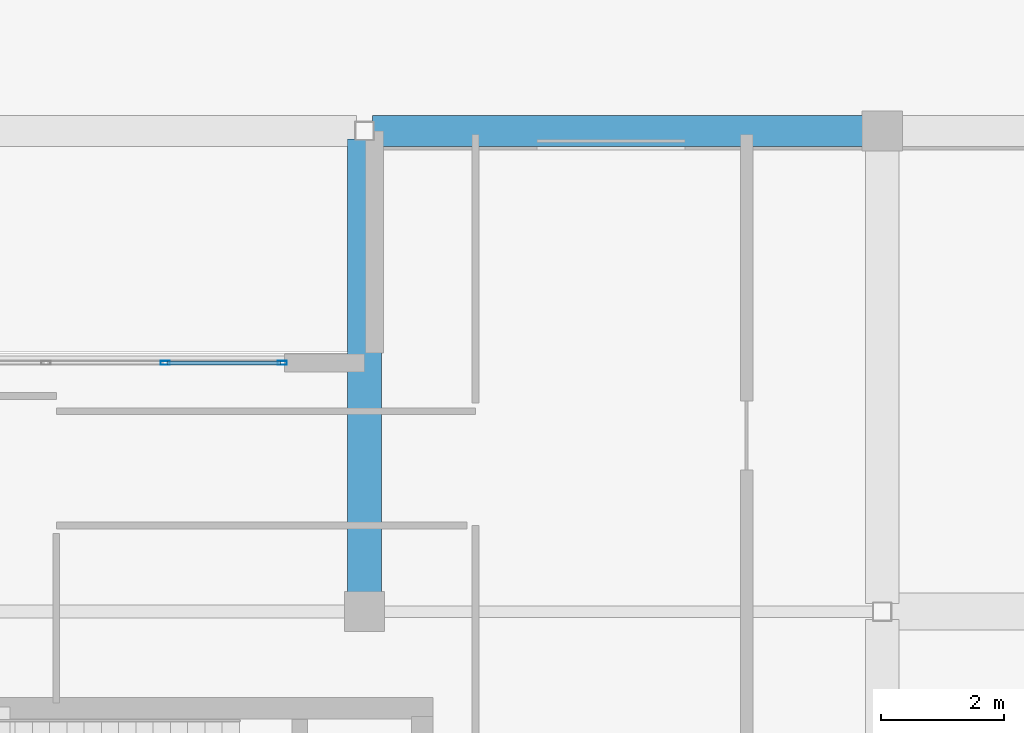
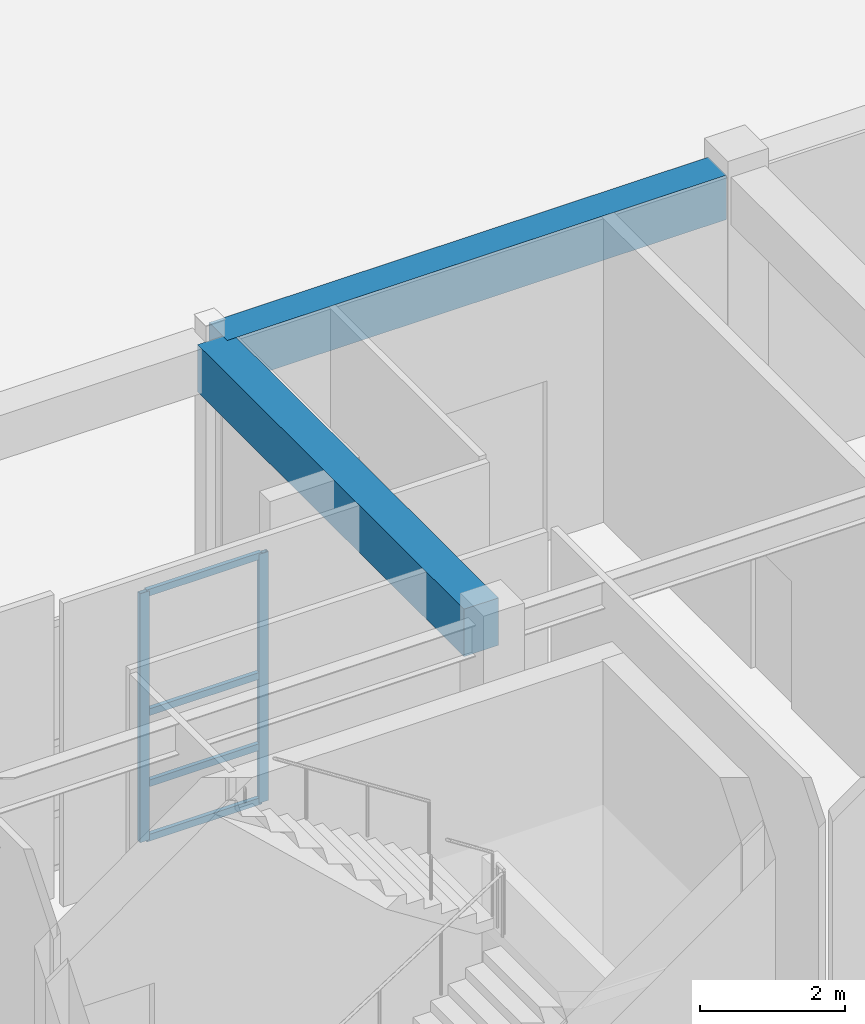
# One storey, part 37 of 148: 6 members, 2 beams, 1 element without a shape of its own.
"""IFC4 building model written with IfcOpenShell, lengths in metres."""

import ifcopenshell
import ifcopenshell.guid

model = None  # the IFC model being written
_history = None  # IfcOwnerHistory: only IFC2X3 demands one
_inside = {}  # id of a spatial element -> (the spatial element, [elements in it])
_under = {}  # id of a project, library or spatial element -> (it, [spatial elements below it])
_declared = {}  # id of a project -> (the project, [libraries it declares])
_typed = {}  # id of a type object -> (the type object, [elements of that type])
_made_of = {}  # id of a material, layer set ... -> (it, [elements and type objects made of it])


def new_model(schema):
    """Start an empty IFC model of exactly this schema.

    Asked for "IFC4X3", IfcOpenShell would pick the latest addendum, in which some entities
    have other attributes; the version numbers below select the first issue.
    IFC2X3 requires an IfcOwnerHistory on every rooted entity: one is made here for all.
    """
    global model, _history
    if schema == "IFC4X3":
        model = ifcopenshell.file(schema_version=(4, 3, 0, 0))
    else:
        model = ifcopenshell.file(schema=schema)
    _inside.clear()
    _under.clear()
    _declared.clear()
    _typed.clear()
    _made_of.clear()
    _history = None
    if model.schema == "IFC2X3":
        org = make("IfcOrganization", Name="unknown")
        user = make(
            "IfcPersonAndOrganization",
            ThePerson=make("IfcPerson", FamilyName="unknown"),
            TheOrganization=org,
        )
        app = make(
            "IfcApplication",
            ApplicationDeveloper=org,
            Version="unknown",
            ApplicationFullName="unknown",
            ApplicationIdentifier="unknown",
        )
        _history = make(
            "IfcOwnerHistory",
            OwningUser=user,
            OwningApplication=app,
            ChangeAction="ADDED",
            CreationDate=0,
        )
    return model


def make(cls, **values):
    """One entity of the class cls with the attributes given. An attribute that is None is left unset."""
    return model.create_entity(
        cls, **{name: value for name, value in values.items() if value is not None}
    )


def rooted(cls, **values):
    """An entity with a GlobalId (a new one), such as an element, a storey or a relation."""
    return make(cls, GlobalId=ifcopenshell.guid.new(), OwnerHistory=_history, **values)


def si_unit(unit_type, name, prefix=None):
    """IfcSIUnit, for example si_unit("LENGTHUNIT", "METRE", prefix="MILLI")."""
    return make("IfcSIUnit", UnitType=unit_type, Prefix=prefix, Name=name)


def assignment(units):
    """IfcUnitAssignment: the units of a project."""
    return None if units is None else make("IfcUnitAssignment", Units=units)


def point(xyz):
    """IfcCartesianPoint."""
    return None if xyz is None else make("IfcCartesianPoint", Coordinates=xyz)


def direction(xyz):
    """IfcDirection."""
    return None if xyz is None else make("IfcDirection", DirectionRatios=xyz)


def frame(location, z_axis=None, x_axis=None):
    """IfcAxis2Placement3D, a coordinate frame: its origin and axes. An axis left out is left unset."""
    return make(
        "IfcAxis2Placement3D",
        Location=point(location),
        Axis=direction(z_axis),
        RefDirection=direction(x_axis),
    )


def frame_2d(location, x_axis=None):
    """IfcAxis2Placement2D, a coordinate frame in the plane: its origin and x axis."""
    return make(
        "IfcAxis2Placement2D", Location=point(location), RefDirection=direction(x_axis)
    )


def origin():
    """The frame at (0, 0, 0) with its axes left unset."""
    return frame((0.0, 0.0, 0.0))


def origin_2d():
    """The frame at (0, 0) in the plane with its x axis left unset."""
    return frame_2d((0.0, 0.0))


def place(relative_to, where):
    """IfcLocalPlacement: puts the frame where relative to a parent placement (None: the world)."""
    return make(
        "IfcLocalPlacement", PlacementRelTo=relative_to, RelativePlacement=where
    )


def context(
    kind, dimensions, precision=None, world=None, true_north=None, identifier=None
):
    """IfcGeometricRepresentationContext, for example the 3D "Model" context."""
    return make(
        "IfcGeometricRepresentationContext",
        ContextIdentifier=identifier,
        ContextType=kind,
        CoordinateSpaceDimension=dimensions,
        Precision=precision,
        WorldCoordinateSystem=world,
        TrueNorth=true_north,
    )


def subcontext(parent, identifier, kind, view, scale=None):
    """IfcGeometricRepresentationSubContext, for example "Body" below "Model"."""
    return make(
        "IfcGeometricRepresentationSubContext",
        ContextIdentifier=identifier,
        ContextType=kind,
        ParentContext=parent,
        TargetScale=scale,
        TargetView=view,
    )


def project(units=None, contexts=None):
    """IfcProject with its units and contexts."""
    return rooted(
        "IfcProject",
        Name="project",
        RepresentationContexts=contexts,
        UnitsInContext=assignment(units),
    )


def spatial(cls, under=None, at=None, **own):
    """A site, building, storey or space (cls), placed at a placement, below another one or the project."""
    s = rooted(cls, ObjectPlacement=at, **own)
    if under is not None:
        _under.setdefault(under.id(), (under, []))[1].append(s)
    return s


def profile(cls, at=None, kind="AREA", **sizes):
    """A parametric profile (cls). Its sizes go by their IFC names, for example OverallWidth=200.0."""
    return make(cls, ProfileType=kind, Position=at, **sizes)


def rectangle(**sizes):
    """IfcRectangleProfileDef."""
    return profile("IfcRectangleProfileDef", **sizes)


def hollow_rectangle(**sizes):
    """IfcRectangleHollowProfileDef."""
    return profile("IfcRectangleHollowProfileDef", **sizes)


def extrude(swept, where, along, depth):
    """IfcExtrudedAreaSolid: the profile swept, set in the frame where, extruded along a direction by depth."""
    return make(
        "IfcExtrudedAreaSolid",
        SweptArea=swept,
        Position=where,
        ExtrudedDirection=direction(along),
        Depth=depth,
    )


def shape(context_of_items, identifier, shape_type, items):
    """IfcShapeRepresentation: the items that make up one representation, for example the "Body"."""
    return make(
        "IfcShapeRepresentation",
        ContextOfItems=context_of_items,
        RepresentationIdentifier=identifier,
        RepresentationType=shape_type,
        Items=items,
    )


def material(Name=None, Category=None):
    """IfcMaterial."""
    return make("IfcMaterial", Name=Name, Category=Category)


def layer(
    of_material, thickness, ventilated=None, Name=None, Category=None, Priority=None
):
    """IfcMaterialLayer: one layer of a wall or slab, of a material (None: an air gap)."""
    return make(
        "IfcMaterialLayer",
        Material=of_material,
        LayerThickness=thickness,
        IsVentilated=ventilated,
        Name=Name,
        Category=Category,
        Priority=Priority,
    )


def layer_set(layers, Name=None):
    """IfcMaterialLayerSet."""
    return make("IfcMaterialLayerSet", MaterialLayers=layers, LayerSetName=Name)


def material_profile(
    of_material, cross_section, Name=None, Category=None, Priority=None
):
    """IfcMaterialProfile: a cross section and its material."""
    return make(
        "IfcMaterialProfile",
        Name=Name,
        Material=of_material,
        Profile=cross_section,
        Priority=Priority,
        Category=Category,
    )


def profile_set(profiles, Name=None, composite=None):
    """IfcMaterialProfileSet."""
    return make(
        "IfcMaterialProfileSet",
        Name=Name,
        MaterialProfiles=profiles,
        CompositeProfile=composite,
    )


def made_of(thing, what):
    """Note that an element or type object is made of a material, layer set ...; save() writes the relation."""
    if what is not None:
        _made_of.setdefault(what.id(), (what, []))[1].append(thing)
    return thing


def type_object(cls, material=None, **own):
    """A type object (cls), such as IfcWallType, which elements share."""
    return made_of(rooted(cls, **own), material)


def element(
    cls,
    number,
    at=None,
    inside=None,
    cuts=None,
    type_object=None,
    material=None,
    context=None,
    identifier="Body",
    shape_type=None,
    held_by="IfcProductDefinitionShape",
    body=None,
    shapes=None,
    **own,
):
    """One element of the class cls, such as IfcWall. Its Tag is "e" and its number.

    at: its placement. inside: the storey or other place that contains it. cuts: it is an
    opening in that element (IfcRelVoidsElement). A single representation is given by context,
    identifier, shape_type and body (its items); several are given by shapes. held_by: the class
    of the entity that holds the representations. save() writes the other relations.
    """
    e = rooted(cls, Tag="e%d" % number, ObjectPlacement=at, **own)
    if body is not None:
        shapes = [shape(context, identifier, shape_type, body)]
    if shapes is not None:
        e.Representation = make(held_by, Representations=shapes)
    if inside is not None:
        _inside.setdefault(inside.id(), (inside, []))[1].append(e)
    if cuts is not None:
        rooted(
            "IfcRelVoidsElement", RelatingBuildingElement=cuts, RelatedOpeningElement=e
        )
    if type_object is not None:
        _typed.setdefault(type_object.id(), (type_object, []))[1].append(e)
    return made_of(e, material)


def aggregate(whole, parts):
    """IfcRelAggregates: a whole, such as a stair, and the parts it consists of."""
    return rooted("IfcRelAggregates", RelatingObject=whole, RelatedObjects=parts)


def save(model, path):
    """Write the relations noted so far, then the file.

    IfcRelAggregates (storeys below a building ...), IfcRelContainedInSpatialStructure (elements
    in a storey), IfcRelDefinesByType, IfcRelAssociatesMaterial and IfcRelDeclares: one each for
    every whole, place, type object, material and project.
    """
    for whole, parts in _under.values():
        aggregate(whole, parts)
    for where, things in _inside.values():
        rooted(
            "IfcRelContainedInSpatialStructure",
            RelatedElements=things,
            RelatingStructure=where,
        )
    for kind, things in _typed.values():
        rooted("IfcRelDefinesByType", RelatedObjects=things, RelatingType=kind)
    for what, things in _made_of.values():
        rooted("IfcRelAssociatesMaterial", RelatedObjects=things, RelatingMaterial=what)
    for by, libraries in _declared.values():
        rooted("IfcRelDeclares", RelatingContext=by, RelatedDefinitions=libraries)
    model.write(path)


model = new_model("IFC4")

# Units and contexts
model_context = context("Model", 3, precision=1e-05, world=origin(), true_north=direction((0.0, 1.0)))
body_context = subcontext(model_context, "Body", "Model", "MODEL_VIEW")
ifc_project = project(units=[si_unit("LENGTHUNIT", "METRE"), si_unit("AREAUNIT", "SQUARE_METRE"), si_unit("VOLUMEUNIT", "CUBIC_METRE"), si_unit("PLANEANGLEUNIT", "RADIAN"), si_unit("MASSUNIT", "GRAM", prefix="KILO")], contexts=[model_context])

# Site, building, storey
site_placement = place(None, origin())
site = spatial("IfcSite", under=ifc_project, at=site_placement, CompositionType="ELEMENT")
building_placement = place(site_placement, origin())
building = spatial("IfcBuilding", under=site, at=building_placement, Name="Quendrovan Civic Courthouse", CompositionType="ELEMENT")
storey_placement = place(building_placement, origin())
storey = spatial("IfcBuildingStorey", under=building, at=storey_placement, Name="L01", CompositionType="ELEMENT", Elevation=0.0)

# Beams
ifc_material_1 = material(Name="Concrete C40/50", Category="concrete")
ifc_material_profile_1 = material_profile(ifc_material_1, rectangle(XDim=0.5, YDim=0.75, at=origin_2d()), Name="RC-BM-500x750")
ifc_profile_set_1 = profile_set([ifc_material_profile_1], Name="Concrete C40/50")
beam_type_1 = type_object("IfcBeamType", Name="BM-RC750", PredefinedType="SPANDREL", material=ifc_profile_set_1)
beam_1_placement = place(storey_placement, frame((84.1298828125, 15.60009765625, 4.7451171875), z_axis=(1.0, 0.0, 0.0), x_axis=(0.0, 1.0, 0.0)))
element("IfcBeam", 1, at=beam_1_placement, inside=storey, type_object=beam_type_1, Name="L01 Girder X0275", PredefinedType="SPANDREL", context=body_context, shape_type="SweptSolid", body=[
    extrude(rectangle(XDim=0.5, YDim=0.75, at=origin_2d()), origin(), (0.0, 0.0, 1.0), 7.965087890625),
])
ifc_material_profile_2 = material_profile(ifc_material_1, rectangle(XDim=0.550048828125, YDim=0.800048828125, at=origin_2d()), Name="RC-BM-550x800")
ifc_profile_set_2 = profile_set([ifc_material_profile_2], Name="Concrete C40/50")
beam_type_2 = type_object("IfcBeamType", Name="BM-RC800", PredefinedType="BEAM", material=ifc_profile_set_2)
beam_2_placement = place(storey_placement, frame((84.0, 8.10498046875, 4.719970703125), z_axis=(0.0, 1.0, 0.0), x_axis=(-1.0, 0.0, 0.0)))
element("IfcBeam", 2, at=beam_2_placement, inside=storey, type_object=beam_type_2, Name="L01 Girder Y0435", PredefinedType="BEAM", context=body_context, shape_type="SweptSolid", body=[
    extrude(rectangle(XDim=0.550048828125, YDim=0.800048828125, at=origin_2d()), origin(), (0.0, 0.0, 1.0), 7.364990234375),
])

# Curtain wall, members
ifc_material_2 = material(Name="Bronze anodised aluminium and low-E glass", Category="aluminium")
ifc_layer = layer(ifc_material_2, 0.179931640625, Name="Bronze anodised aluminium and low-E glass")
ifc_layer_set = layer_set([ifc_layer], Name="Bronze anodised aluminium and low-E glass")
curtain_wall_type = type_object("IfcCurtainWallType", Name="CW-U58x42", PredefinedType="USERDEFINED", material=ifc_layer_set)
curtain_wall_placement = place(storey_placement, origin())
curtain_wall = element("IfcCurtainWall", 3, at=curtain_wall_placement, inside=storey, type_object=curtain_wall_type, Name="L01 Unitised Hurricane Curtain Wall CW-011", ObjectType="UNITISED CURTAIN WALL", PredefinedType="USERDEFINED")
ifc_material_3 = material(Name="Bronze anodised aluminium", Category="aluminium")
ifc_material_profile_3 = material_profile(ifc_material_3, hollow_rectangle(XDim=0.06494140625, YDim=0.14990234375, WallThickness=0.00390625, at=origin_2d()), Name="CW-MULL-65x150")
ifc_profile_set_3 = profile_set([ifc_material_profile_3], Name="Bronze anodised aluminium")
member_type_1 = type_object("IfcMemberType", Name="CW-MULL-B", PredefinedType="MULLION", material=ifc_profile_set_3)
member_1_placement = place(storey_placement, frame((80.7666015625, 11.8349609375, 0.0), z_axis=(0.0, 0.0, 1.0), x_axis=(0.0, 1.0, 0.0)))
member_1 = element("IfcMember", 4, at=member_1_placement, type_object=member_type_1, Name="CW-011 mullion 3", PredefinedType="MULLION", context=body_context, shape_type="SweptSolid", body=[
    extrude(hollow_rectangle(XDim=0.06494140625, YDim=0.14990234375, WallThickness=0.00390625, at=origin_2d()), origin(), (0.0, 0.0, 1.0), 4.199951171875),
])
member_2_placement = place(storey_placement, frame((82.66748046875, 11.8349609375, 0.0), z_axis=(0.0, 0.0, 1.0), x_axis=(0.0, 1.0, 0.0)))
member_2 = element("IfcMember", 5, at=member_2_placement, type_object=member_type_1, Name="CW-011 mullion 4", PredefinedType="MULLION", context=body_context, shape_type="SweptSolid", body=[
    extrude(hollow_rectangle(XDim=0.06494140625, YDim=0.14990234375, WallThickness=0.00390625, at=origin_2d()), origin(), (0.0, 0.0, 1.0), 4.199951171875),
])
ifc_material_profile_4 = material_profile(ifc_material_3, hollow_rectangle(XDim=0.06494140625, YDim=0.114990234375, WallThickness=0.00390625, at=origin_2d()), Name="CW-TRAN-65x115")
ifc_profile_set_4 = profile_set([ifc_material_profile_4], Name="Bronze anodised aluminium")
member_type_2 = type_object("IfcMemberType", Name="CW-TRAN-B", PredefinedType="USERDEFINED", material=ifc_profile_set_4)
member_3_placement = place(storey_placement, frame((80.799072265625, 11.8349609375, 0.032470703125), z_axis=(1.0, 0.0, 0.0), x_axis=(0.0, 1.0, 0.0)))
member_3 = element("IfcMember", 6, at=member_3_placement, type_object=member_type_2, Name="CW-011 transom 3.1", ObjectType="TRANSOM", PredefinedType="USERDEFINED", context=body_context, shape_type="SweptSolid", body=[
    extrude(hollow_rectangle(XDim=0.06494140625, YDim=0.114990234375, WallThickness=0.00390625, at=origin_2d()), origin(), (0.0, 0.0, 1.0), 1.8359375),
])
member_4_placement = place(storey_placement, frame((80.799072265625, 11.8349609375, 0.949951171875), z_axis=(1.0, 0.0, 0.0), x_axis=(0.0, 1.0, 0.0)))
member_4 = element("IfcMember", 7, at=member_4_placement, type_object=member_type_2, Name="CW-011 transom 3.2", ObjectType="TRANSOM", PredefinedType="USERDEFINED", context=body_context, shape_type="SweptSolid", body=[
    extrude(hollow_rectangle(XDim=0.06494140625, YDim=0.114990234375, WallThickness=0.00390625, at=origin_2d()), origin(), (0.0, 0.0, 1.0), 1.8359375),
])
member_5_placement = place(storey_placement, frame((80.799072265625, 11.8349609375, 2.14990234375), z_axis=(1.0, 0.0, 0.0), x_axis=(0.0, 1.0, 0.0)))
member_5 = element("IfcMember", 8, at=member_5_placement, type_object=member_type_2, Name="CW-011 transom 3.3", ObjectType="TRANSOM", PredefinedType="USERDEFINED", context=body_context, shape_type="SweptSolid", body=[
    extrude(hollow_rectangle(XDim=0.06494140625, YDim=0.114990234375, WallThickness=0.00390625, at=origin_2d()), origin(), (0.0, 0.0, 1.0), 1.8359375),
])
member_6_placement = place(storey_placement, frame((80.799072265625, 11.8349609375, 4.16748046875), z_axis=(1.0, 0.0, 0.0), x_axis=(0.0, 1.0, 0.0)))
member_6 = element("IfcMember", 9, at=member_6_placement, type_object=member_type_2, Name="CW-011 transom 3.4", ObjectType="TRANSOM", PredefinedType="USERDEFINED", context=body_context, shape_type="SweptSolid", body=[
    extrude(hollow_rectangle(XDim=0.06494140625, YDim=0.114990234375, WallThickness=0.00390625, at=origin_2d()), origin(), (0.0, 0.0, 1.0), 1.8359375),
])
aggregate(curtain_wall, [member_1, member_2, member_3, member_4, member_5, member_6])

save(model, "model.ifc")
